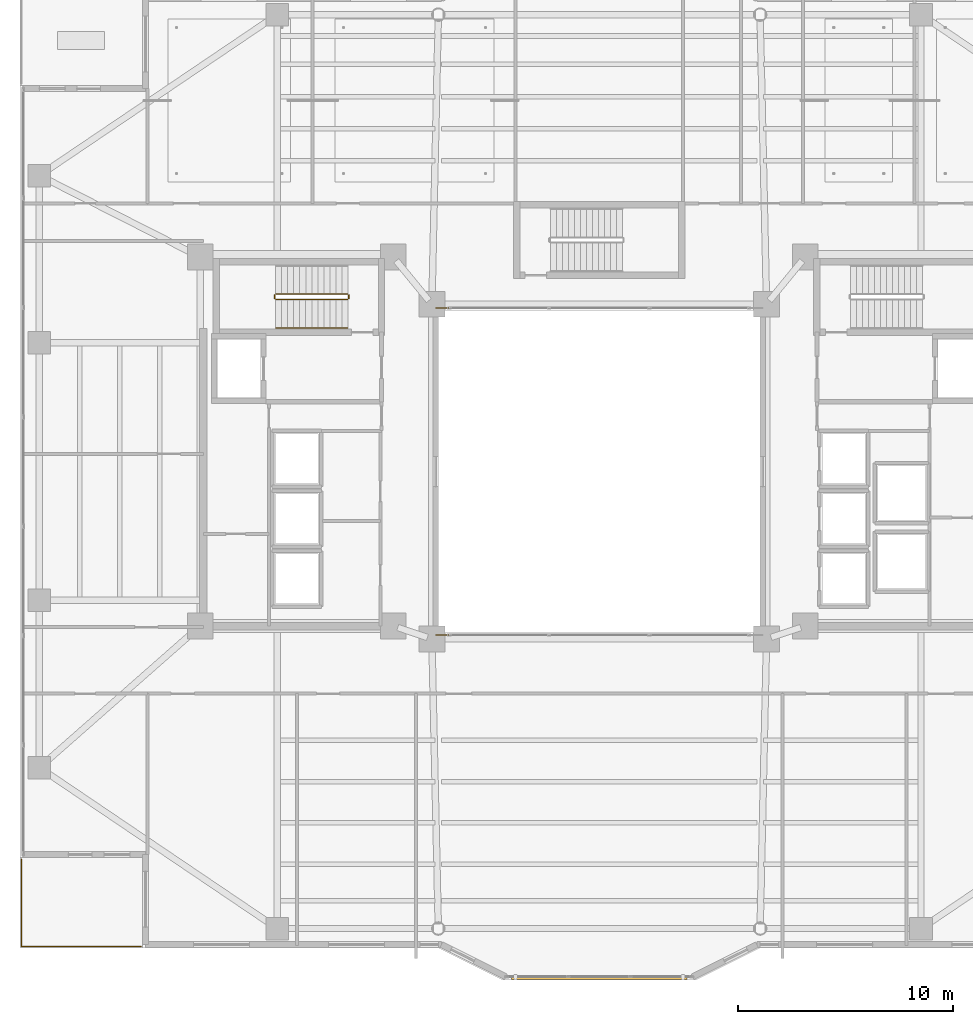
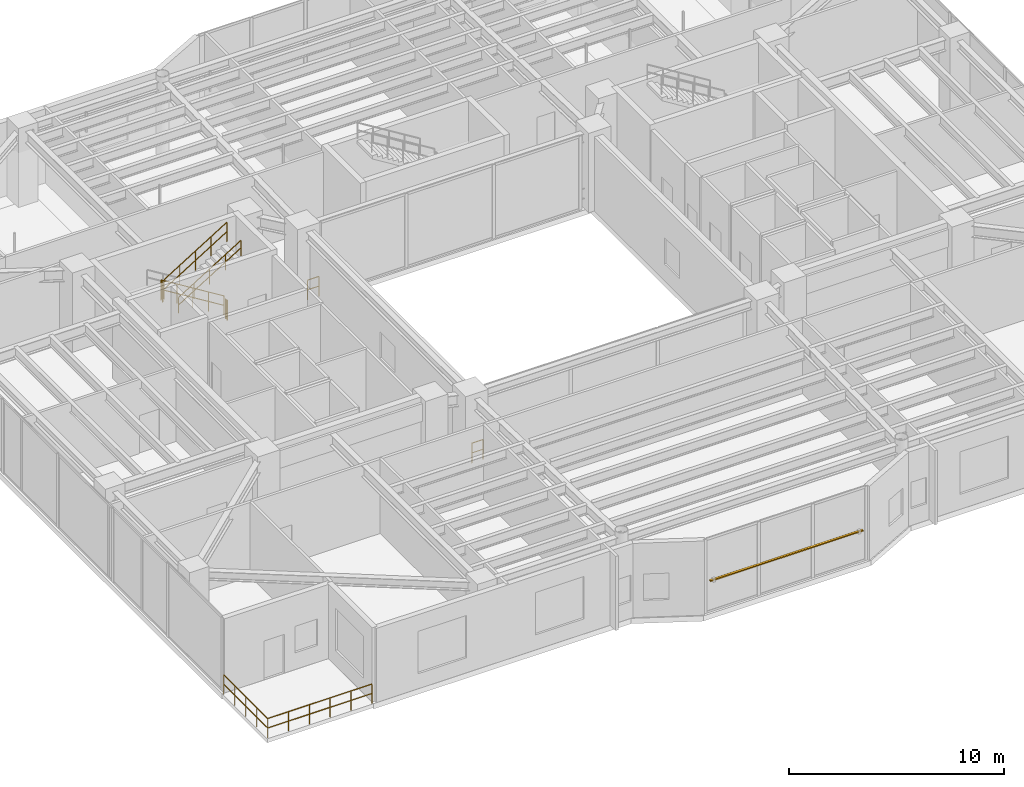
# One storey, part 34 of 37: 9 railings, 1 shading device.
"""IFC4 building model written with IfcOpenShell, lengths in metres."""

from ifc_helpers import new_model, si_unit, direction, frame, origin, origin_2d, place, context, subcontext, project, spatial, rectangle, circle, extrude, material, material_profile, profile_set, type_object, element, save


model = new_model("IFC4")

# Units and contexts
model_context = context("Model", 3, precision=1e-05, world=origin(), true_north=direction((0.0, 1.0)))
body_context = subcontext(model_context, "Body", "Model", "MODEL_VIEW")
ifc_project = project(units=[si_unit("LENGTHUNIT", "METRE"), si_unit("AREAUNIT", "SQUARE_METRE"), si_unit("VOLUMEUNIT", "CUBIC_METRE"), si_unit("PLANEANGLEUNIT", "RADIAN"), si_unit("MASSUNIT", "GRAM", prefix="KILO")], contexts=[model_context])

# Site, building, storey
site_placement = place(None, origin())
site = spatial("IfcSite", under=ifc_project, at=site_placement, CompositionType="ELEMENT")
building_placement = place(site_placement, origin())
building = spatial("IfcBuilding", under=site, at=building_placement, Name="Tarnavaz Court Tower", CompositionType="ELEMENT")
storey_placement = place(building_placement, frame((0.0, 0.0, 118.5)))
storey = spatial("IfcBuildingStorey", under=building, at=storey_placement, Name="L32", CompositionType="ELEMENT", Elevation=118.5)

# Railings
ifc_material_1 = material(Name="Anodised Aluminium 6063-T6 and Laminated Safety Glass", Category="aluminium")
railing_type_1 = type_object("IfcRailingType", Name="RL-BAL-1120", PredefinedType="BALUSTRADE", material=ifc_material_1)
railing_1_placement = place(storey_placement, frame((-7.6201171875, -7.6201171875, 0.0)))
element("IfcRailing", 1, at=railing_1_placement, inside=storey, type_object=railing_type_1, Name="L32 Courtyard Corner Balustrade S-A", PredefinedType="BALUSTRADE", context=body_context, shape_type="SweptSolid", body=[
    extrude(circle(Radius=0.02392578125, at=origin_2d()), frame((0.0, 0.0, 1.1259765625), z_axis=(1.0, 0.0, 0.0), x_axis=(0.0, 1.0, 0.0)), (0.0, 0.0, 1.0), 0.60009765625),
    extrude(circle(Radius=0.02392578125, at=origin_2d()), frame((0.0, 0.0, 0.574951171875), z_axis=(1.0, 0.0, 0.0), x_axis=(0.0, 1.0, 0.0)), (0.0, 0.0, 1.0), 0.60009765625),
    extrude(circle(Radius=0.02099609375, at=origin_2d()), origin(), (0.0, 0.0, 1.0), 1.101806640625),
    extrude(circle(Radius=0.02099609375, at=origin_2d()), frame((0.60009765625, 0.0, 0.0)), (0.0, 0.0, 1.0), 1.101806640625),
])
railing_2_placement = place(storey_placement, frame((-7.02001953125, 7.6201171875, 0.0)))
element("IfcRailing", 2, at=railing_2_placement, inside=storey, type_object=railing_type_1, Name="L32 Courtyard Corner Balustrade N-B", PredefinedType="BALUSTRADE", context=body_context, shape_type="SweptSolid", body=[
    extrude(circle(Radius=0.02392578125, at=origin_2d()), frame((0.0, 0.0, 1.1259765625), z_axis=(-1.0, 0.0, 0.0), x_axis=(0.0, -1.0, 0.0)), (0.0, 0.0, 1.0), 0.60009765625),
    extrude(circle(Radius=0.02392578125, at=origin_2d()), frame((0.0, 0.0, 0.574951171875), z_axis=(-1.0, 0.0, 0.0), x_axis=(0.0, -1.0, 0.0)), (0.0, 0.0, 1.0), 0.60009765625),
    extrude(circle(Radius=0.02099609375, at=origin_2d()), origin(), (0.0, 0.0, 1.0), 1.101806640625),
    extrude(circle(Radius=0.02099609375, at=origin_2d()), frame((-0.60009765625, 0.0, 0.0)), (0.0, 0.0, 1.0), 1.101806640625),
])
railing_3_placement = place(storey_placement, frame((-26.93994140625, -22.139892578125, 0.0)))
element("IfcRailing", 3, at=railing_3_placement, inside=storey, type_object=railing_type_1, Name="L32 Terrace 4 S Perimeter Balustrade", PredefinedType="BALUSTRADE", context=body_context, shape_type="SweptSolid", body=[
    extrude(circle(Radius=0.02392578125, at=origin_2d()), frame((0.0, 0.0, 1.09619140625), z_axis=(1.0, 0.0, 0.0), x_axis=(0.0, 1.0, 0.0)), (0.0, 0.0, 1.0), 5.579833984375),
    extrude(circle(Radius=0.02392578125, at=origin_2d()), frame((0.0, 0.0, 0.56005859375), z_axis=(1.0, 0.0, 0.0), x_axis=(0.0, 1.0, 0.0)), (0.0, 0.0, 1.0), 5.579833984375),
    extrude(circle(Radius=0.02099609375, at=origin_2d()), origin(), (0.0, 0.0, 1.0), 1.072021484375),
    extrude(circle(Radius=0.02099609375, at=origin_2d()), frame((1.115966796875, 0.0, 0.0)), (0.0, 0.0, 1.0), 1.072021484375),
    extrude(circle(Radius=0.02099609375, at=origin_2d()), frame((2.23193359375, 0.0, 0.0)), (0.0, 0.0, 1.0), 1.072021484375),
    extrude(circle(Radius=0.02099609375, at=origin_2d()), frame((3.347900390625, 0.0, 0.0)), (0.0, 0.0, 1.0), 1.072021484375),
    extrude(circle(Radius=0.02099609375, at=origin_2d()), frame((4.4638671875, 0.0, 0.0)), (0.0, 0.0, 1.0), 1.072021484375),
    extrude(circle(Radius=0.02099609375, at=origin_2d()), frame((5.579833984375, 0.0, 0.0)), (0.0, 0.0, 1.0), 1.072021484375),
])
railing_4_placement = place(storey_placement, frame((-26.93994140625, -18.06005859375, 0.0)))
element("IfcRailing", 4, at=railing_4_placement, inside=storey, type_object=railing_type_1, Name="L32 Terrace 4 W Perimeter Balustrade", PredefinedType="BALUSTRADE", context=body_context, shape_type="SweptSolid", body=[
    extrude(circle(Radius=0.02392578125, at=origin_2d()), frame((0.0, 0.0, 1.09619140625), z_axis=(0.0, -1.0, 0.0), x_axis=(1.0, 0.0, 0.0)), (0.0, 0.0, 1.0), 4.079833984375),
    extrude(circle(Radius=0.02392578125, at=origin_2d()), frame((0.0, 0.0, 0.56005859375), z_axis=(0.0, -1.0, 0.0), x_axis=(1.0, 0.0, 0.0)), (0.0, 0.0, 1.0), 4.079833984375),
    extrude(circle(Radius=0.02099609375, at=origin_2d()), origin(), (0.0, 0.0, 1.0), 1.072021484375),
    extrude(circle(Radius=0.02099609375, at=origin_2d()), frame((0.0, -1.02001953125, 0.0)), (0.0, 0.0, 1.0), 1.072021484375),
    extrude(circle(Radius=0.02099609375, at=origin_2d()), frame((0.0, -2.0400390625, 0.0)), (0.0, 0.0, 1.0), 1.072021484375),
    extrude(circle(Radius=0.02099609375, at=origin_2d()), frame((0.0, -3.059814453125, 0.0)), (0.0, 0.0, 1.0), 1.072021484375),
    extrude(circle(Radius=0.02099609375, at=origin_2d()), frame((0.0, -4.079833984375, 0.0)), (0.0, 0.0, 1.0), 1.072021484375),
])
ifc_material_2 = material(Name="Brushed Stainless Steel", Category="steel")
railing_type_2 = type_object("IfcRailingType", Name="RL-HANDRAIL-900", PredefinedType="HANDRAIL", material=ifc_material_2)
railing_5_placement = place(storey_placement, frame((-15.080078125, 6.699951171875, 2.423095703125)))
element("IfcRailing", 5, at=railing_5_placement, inside=storey, type_object=railing_type_2, Name="L32 ST-W1 stair handrail 2", PredefinedType="HANDRAIL", context=body_context, shape_type="SweptSolid", body=[
    extrude(circle(Radius=0.02392578125, at=origin_2d()), frame((0.0, 0.0, 0.8759765625), z_axis=(0.850623216509, 0.0, 0.525775754039), x_axis=(0.0, 1.0, 0.0)), (0.0, 0.0, 1.0), 3.9501953125),
    extrude(circle(Radius=0.02392578125, at=origin_2d()), frame((0.0, 0.0, 0.449951171875), z_axis=(0.850623216509, 0.0, 0.525775754039), x_axis=(0.0, 1.0, 0.0)), (0.0, 0.0, 1.0), 3.9501953125),
    extrude(circle(Radius=0.02099609375, at=origin_2d()), origin(), (0.0, 0.0, 1.0), 0.851806640625),
    extrude(circle(Radius=0.02099609375, at=origin_2d()), frame((0.840087890625, 0.0, 0.519287109375)), (0.0, 0.0, 1.0), 0.851806640625),
    extrude(circle(Radius=0.02099609375, at=origin_2d()), frame((1.68017578125, 0.0, 1.03857421875)), (0.0, 0.0, 1.0), 0.851806640625),
    extrude(circle(Radius=0.02099609375, at=origin_2d()), frame((2.52001953125, 0.0, 1.5576171875)), (0.0, 0.0, 1.0), 0.851806640625),
    extrude(circle(Radius=0.02099609375, at=origin_2d()), frame((3.360107421875, 0.0, 2.076904296875)), (0.0, 0.0, 1.0), 0.851806640625),
])
ifc_material_3 = material(Name="Galvanized Painted Tubular Steel", Category="steel")
railing_type_3 = type_object("IfcRailingType", Name="RL-STGUARD-1120", PredefinedType="GUARDRAIL", material=ifc_material_3)
railing_6_placement = place(storey_placement, frame((-11.719970703125, 8.27001953125, 0.173095703125)))
element("IfcRailing", 6, at=railing_6_placement, inside=storey, type_object=railing_type_3, Name="L32 ST-W1 stair guard 1", PredefinedType="GUARDRAIL", context=body_context, shape_type="SweptSolid", body=[
    extrude(circle(Radius=0.02392578125, at=origin_2d()), frame((0.0, 0.0, 1.09619140625), z_axis=(-0.850623216509, 0.0, 0.525775754039), x_axis=(0.0, -1.0, 0.0)), (0.0, 0.0, 1.0), 3.9501953125),
    extrude(circle(Radius=0.02392578125, at=origin_2d()), frame((0.0, 0.0, 0.56005859375), z_axis=(-0.850623216509, 0.0, 0.525775754039), x_axis=(0.0, -1.0, 0.0)), (0.0, 0.0, 1.0), 3.9501953125),
    extrude(circle(Radius=0.02099609375, at=origin_2d()), origin(), (0.0, 0.0, 1.0), 1.072021484375),
    extrude(circle(Radius=0.02099609375, at=origin_2d()), frame((-0.840087890625, 0.0, 0.519287109375)), (0.0, 0.0, 1.0), 1.072021484375),
    extrude(circle(Radius=0.02099609375, at=origin_2d()), frame((-1.68017578125, 0.0, 1.03857421875)), (0.0, 0.0, 1.0), 1.072021484375),
    extrude(circle(Radius=0.02099609375, at=origin_2d()), frame((-2.52001953125, 0.0, 1.5576171875)), (0.0, 0.0, 1.0), 1.072021484375),
    extrude(circle(Radius=0.02099609375, at=origin_2d()), frame((-3.360107421875, 0.0, 2.076904296875)), (0.0, 0.0, 1.0), 1.072021484375),
])
railing_7_placement = place(storey_placement, frame((-15.1298828125, 8.219970703125, 2.25)))
element("IfcRailing", 7, at=railing_7_placement, inside=storey, type_object=railing_type_3, Name="L32 ST-W1 stair guard 2", PredefinedType="GUARDRAIL", context=body_context, shape_type="SweptSolid", body=[
    extrude(circle(Radius=0.02392578125, at=origin_2d()), frame((0.0, 0.0, 1.09619140625), z_axis=(0.0, -1.0, 0.0), x_axis=(1.0, 0.0, 0.0)), (0.0, 0.0, 1.0), 0.14990234375),
    extrude(circle(Radius=0.02392578125, at=origin_2d()), frame((0.0, 0.0, 0.56005859375), z_axis=(0.0, -1.0, 0.0), x_axis=(1.0, 0.0, 0.0)), (0.0, 0.0, 1.0), 0.14990234375),
    extrude(circle(Radius=0.02099609375, at=origin_2d()), origin(), (0.0, 0.0, 1.0), 1.072021484375),
    extrude(circle(Radius=0.02099609375, at=origin_2d()), frame((0.0, -0.14990234375, 0.0)), (0.0, 0.0, 1.0), 1.072021484375),
])
railing_8_placement = place(storey_placement, frame((-15.080078125, 8.02001953125, 2.423095703125)))
element("IfcRailing", 8, at=railing_8_placement, inside=storey, type_object=railing_type_3, Name="L32 ST-W1 stair guard 3", PredefinedType="GUARDRAIL", context=body_context, shape_type="SweptSolid", body=[
    extrude(circle(Radius=0.02392578125, at=origin_2d()), frame((0.0, 0.0, 1.09619140625), z_axis=(0.850623216509, 0.0, 0.525775754039), x_axis=(0.0, 1.0, 0.0)), (0.0, 0.0, 1.0), 3.9501953125),
    extrude(circle(Radius=0.02392578125, at=origin_2d()), frame((0.0, 0.0, 0.56005859375), z_axis=(0.850623216509, 0.0, 0.525775754039), x_axis=(0.0, 1.0, 0.0)), (0.0, 0.0, 1.0), 3.9501953125),
    extrude(circle(Radius=0.02099609375, at=origin_2d()), origin(), (0.0, 0.0, 1.0), 1.072021484375),
    extrude(circle(Radius=0.02099609375, at=origin_2d()), frame((0.840087890625, 0.0, 0.519287109375)), (0.0, 0.0, 1.0), 1.072021484375),
    extrude(circle(Radius=0.02099609375, at=origin_2d()), frame((1.68017578125, 0.0, 1.03857421875)), (0.0, 0.0, 1.0), 1.072021484375),
    extrude(circle(Radius=0.02099609375, at=origin_2d()), frame((2.52001953125, 0.0, 1.5576171875)), (0.0, 0.0, 1.0), 1.072021484375),
    extrude(circle(Radius=0.02099609375, at=origin_2d()), frame((3.360107421875, 0.0, 2.076904296875)), (0.0, 0.0, 1.0), 1.072021484375),
])
railing_9_placement = place(storey_placement, frame((-11.669921875, 8.219970703125, 0.0)))
element("IfcRailing", 9, at=railing_9_placement, inside=storey, type_object=railing_type_3, Name="L32 ST-W1 stair guard 4", PredefinedType="GUARDRAIL", context=body_context, shape_type="SweptSolid", body=[
    extrude(circle(Radius=0.02392578125, at=origin_2d()), frame((0.0, 0.0, 1.09619140625), z_axis=(0.0, -1.0, 0.0), x_axis=(1.0, 0.0, 0.0)), (0.0, 0.0, 1.0), 0.14990234375),
    extrude(circle(Radius=0.02392578125, at=origin_2d()), frame((0.0, 0.0, 0.56005859375), z_axis=(0.0, -1.0, 0.0), x_axis=(1.0, 0.0, 0.0)), (0.0, 0.0, 1.0), 0.14990234375),
    extrude(circle(Radius=0.02099609375, at=origin_2d()), origin(), (0.0, 0.0, 1.0), 1.072021484375),
    extrude(circle(Radius=0.02099609375, at=origin_2d()), frame((0.0, -0.14990234375, 0.0)), (0.0, 0.0, 1.0), 1.072021484375),
])

# Shading device
ifc_material_4 = material(Name="Kiln-Fired Khorasan Terracotta Ceramic", Category="masonry")
ifc_material_profile = material_profile(ifc_material_4, rectangle(XDim=0.1201171875, YDim=0.06005859375, at=origin_2d()), Name="TC BAGUETTE 120X60")
ifc_profile_set = profile_set([ifc_material_profile], Name="Kiln-Fired Khorasan Terracotta Ceramic")
shading_device_type = type_object("IfcShadingDeviceType", Name="SD-BAG-120", PredefinedType="USERDEFINED", material=ifc_profile_set)
shading_device_placement = place(storey_placement, frame((4.10009765625, -23.610107421875, 1.800048828125), z_axis=(-1.0, 0.0, 0.0), x_axis=(0.0, -1.0, 0.0)))
element("IfcShadingDevice", 10, at=shading_device_placement, inside=storey, type_object=shading_device_type, Name="L32 Terracotta Baguette Screen PBG17", ObjectType="BAGUETTE", PredefinedType="USERDEFINED", context=body_context, shape_type="SweptSolid", body=[
    extrude(rectangle(XDim=0.1201171875, YDim=0.06005859375, at=origin_2d()), origin(), (0.0, 0.0, 1.0), 8.2001953125),
])

save(model, "model.ifc")
